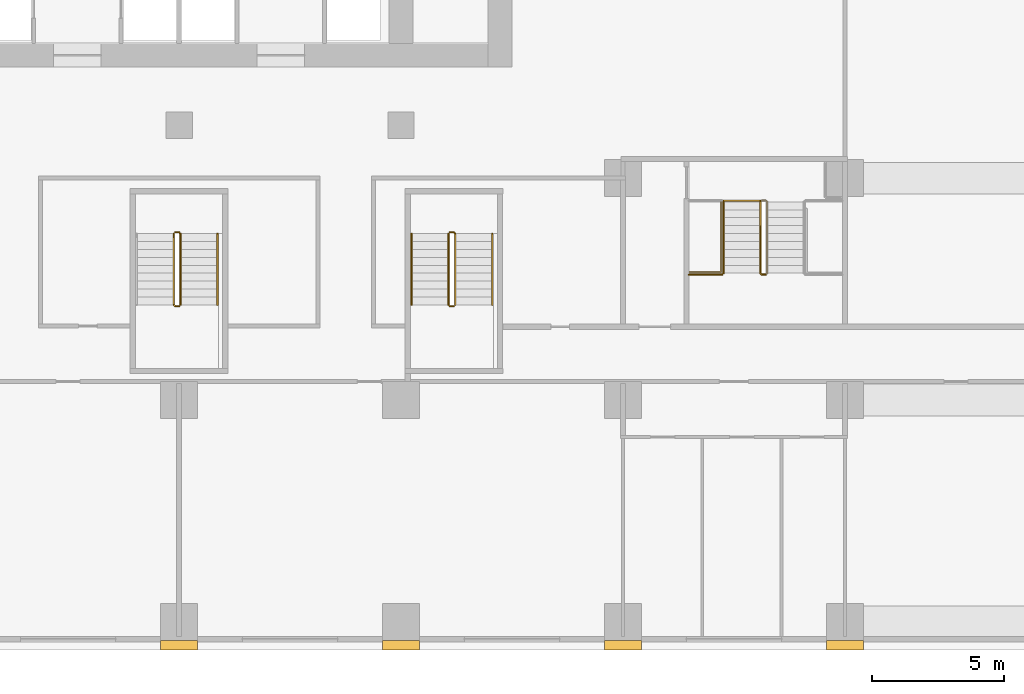
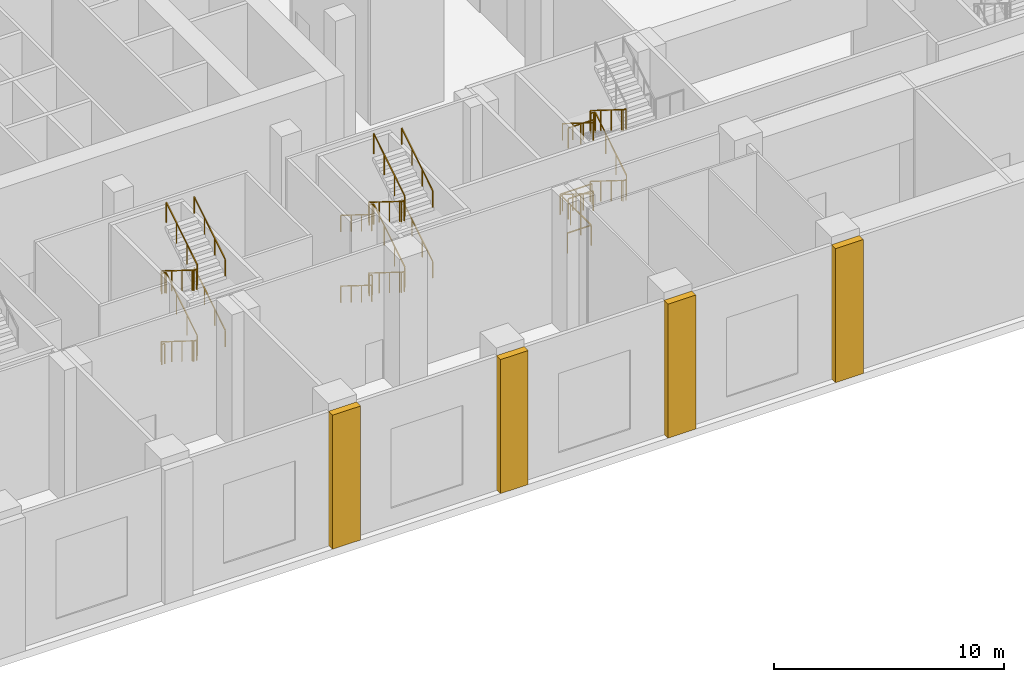
# One storey, part 20 of 29: 24 railings, 4 coverings.
"""IFC4 building model written with IfcOpenShell, lengths in metres."""

from ifc_helpers import new_model, si_unit, direction, frame, origin, origin_2d, place, context, subcontext, project, spatial, polyline, rectangle, outline, extrude, material, type_object, element, save


model = new_model("IFC4")

# Units and contexts
model_context = context("Model", 3, precision=1e-05, world=origin(), true_north=direction((0.0, 1.0)))
body_context = subcontext(model_context, "Body", "Model", "MODEL_VIEW")
ifc_project = project(units=[si_unit("LENGTHUNIT", "METRE"), si_unit("AREAUNIT", "SQUARE_METRE"), si_unit("VOLUMEUNIT", "CUBIC_METRE"), si_unit("PLANEANGLEUNIT", "RADIAN"), si_unit("MASSUNIT", "GRAM", prefix="KILO")], contexts=[model_context])

# Site, building, storey
site_placement = place(None, origin())
site = spatial("IfcSite", under=ifc_project, at=site_placement, CompositionType="ELEMENT")
building_placement = place(site_placement, origin())
building = spatial("IfcBuilding", under=site, at=building_placement, Name="Vermilion Ogive Tower", CompositionType="ELEMENT")
storey_placement = place(building_placement, frame((0.0, 0.0, 12.5)))
storey = spatial("IfcBuildingStorey", under=building, at=storey_placement, Name="L02", CompositionType="ELEMENT", Elevation=12.5)

# Railings
ifc_material_1 = material(Name="Steel S355 painted", Category="steel")
railing_type_1 = type_object("IfcRailingType", Name="Stair guard 1100", PredefinedType="GUARDRAIL", material=ifc_material_1)
railing_1_placement = place(storey_placement, frame((-0.199951171875, -14.699951171875, 0.1875)))
element("IfcRailing", 1, at=railing_1_placement, inside=storey, type_object=railing_type_1, Name="L02 ST4 stair guard 1", PredefinedType="GUARDRAIL", context=body_context, shape_type="SweptSolid", body=[
    extrude(rectangle(XDim=0.048095703125, YDim=0.048095703125, at=origin_2d()), frame((0.0, 0.0, 1.076171875), z_axis=(0.0, -0.847993996163, 0.530005832488), x_axis=(1.0, 0.0, 0.0)), (0.0, 0.0, 1.0), 3.183837890625),
    extrude(rectangle(XDim=0.048095703125, YDim=0.048095703125, at=origin_2d()), frame((0.0, -2.699951171875, 2.763671875), z_axis=(0.707106781187, -0.707106781187, 0.0), x_axis=(0.707106781187, 0.707106781187, 0.0)), (0.0, 0.0, 1.0), 0.07080078125),
    extrude(rectangle(XDim=0.048095703125, YDim=0.048095703125, at=origin_2d()), frame((0.050048828125, -2.75, 2.763671875), z_axis=(1.0, 0.0, 0.0), x_axis=(0.0, 1.0, 0.0)), (0.0, 0.0, 1.0), 0.14990234375),
    extrude(rectangle(XDim=0.0419921875, YDim=0.0419921875, at=origin_2d()), origin(), (0.0, 0.0, 1.0), 1.052001953125),
    extrude(rectangle(XDim=0.0419921875, YDim=0.0419921875, at=origin_2d()), frame((0.0, -0.89990234375, 0.5625)), (0.0, 0.0, 1.0), 1.052001953125),
    extrude(rectangle(XDim=0.0419921875, YDim=0.0419921875, at=origin_2d()), frame((0.0, -1.800048828125, 1.125)), (0.0, 0.0, 1.0), 1.052001953125),
    extrude(rectangle(XDim=0.0419921875, YDim=0.0419921875, at=origin_2d()), frame((0.0, -2.699951171875, 1.6875)), (0.0, 0.0, 1.0), 1.052001953125),
    extrude(rectangle(XDim=0.0419921875, YDim=0.0419921875, at=origin_2d()), frame((0.050048828125, -2.75, 1.6875)), (0.0, 0.0, 1.0), 1.052001953125),
    extrude(rectangle(XDim=0.0419921875, YDim=0.0419921875, at=origin_2d()), frame((0.199951171875, -2.75, 1.6875)), (0.0, 0.0, 1.0), 1.052001953125),
])
railing_2_placement = place(storey_placement, frame((0.050048828125, -17.39990234375, 2.0625)))
element("IfcRailing", 2, at=railing_2_placement, inside=storey, type_object=railing_type_1, Name="L02 ST4 stair guard 3", PredefinedType="GUARDRAIL", context=body_context, shape_type="SweptSolid", body=[
    extrude(rectangle(XDim=0.048095703125, YDim=0.048095703125, at=origin_2d()), frame((0.0, 0.0, 1.076171875), z_axis=(0.0, 0.847993996163, 0.530005832488), x_axis=(-1.0, 0.0, 0.0)), (0.0, 0.0, 1.0), 3.183837890625),
    extrude(rectangle(XDim=0.048095703125, YDim=0.048095703125, at=origin_2d()), frame((0.0, 2.699951171875, 2.763671875), z_axis=(-0.707106781187, 0.707106781187, 0.0), x_axis=(-0.707106781187, -0.707106781187, 0.0)), (0.0, 0.0, 1.0), 0.07080078125),
    extrude(rectangle(XDim=0.048095703125, YDim=0.048095703125, at=origin_2d()), frame((-0.050048828125, 2.75, 2.763671875), z_axis=(-1.0, 0.0, 0.0), x_axis=(0.0, -1.0, 0.0)), (0.0, 0.0, 1.0), 0.14990234375),
    extrude(rectangle(XDim=0.0419921875, YDim=0.0419921875, at=origin_2d()), origin(), (0.0, 0.0, 1.0), 1.052001953125),
    extrude(rectangle(XDim=0.0419921875, YDim=0.0419921875, at=origin_2d()), frame((0.0, 0.89990234375, 0.5625)), (0.0, 0.0, 1.0), 1.052001953125),
    extrude(rectangle(XDim=0.0419921875, YDim=0.0419921875, at=origin_2d()), frame((0.0, 1.800048828125, 1.125)), (0.0, 0.0, 1.0), 1.052001953125),
    extrude(rectangle(XDim=0.0419921875, YDim=0.0419921875, at=origin_2d()), frame((0.0, 2.699951171875, 1.6875)), (0.0, 0.0, 1.0), 1.052001953125),
    extrude(rectangle(XDim=0.0419921875, YDim=0.0419921875, at=origin_2d()), frame((-0.050048828125, 2.75, 1.6875)), (0.0, 0.0, 1.0), 1.052001953125),
    extrude(rectangle(XDim=0.0419921875, YDim=0.0419921875, at=origin_2d()), frame((-0.199951171875, 2.75, 1.6875)), (0.0, 0.0, 1.0), 1.052001953125),
])
railing_3_placement = place(storey_placement, frame((-0.199951171875, -14.699951171875, 3.9375)))
element("IfcRailing", 3, at=railing_3_placement, inside=storey, type_object=railing_type_1, Name="L02 ST4 stair guard 5", PredefinedType="GUARDRAIL", context=body_context, shape_type="SweptSolid", body=[
    extrude(rectangle(XDim=0.048095703125, YDim=0.048095703125, at=origin_2d()), frame((0.0, 0.0, 1.076171875), z_axis=(0.0, -0.847993996163, 0.530005832488), x_axis=(1.0, 0.0, 0.0)), (0.0, 0.0, 1.0), 3.183837890625),
    extrude(rectangle(XDim=0.048095703125, YDim=0.048095703125, at=origin_2d()), frame((0.0, -2.699951171875, 2.763671875), z_axis=(0.707106781187, -0.707106781187, 0.0), x_axis=(0.707106781187, 0.707106781187, 0.0)), (0.0, 0.0, 1.0), 0.07080078125),
    extrude(rectangle(XDim=0.048095703125, YDim=0.048095703125, at=origin_2d()), frame((0.050048828125, -2.75, 2.763671875), z_axis=(1.0, 0.0, 0.0), x_axis=(0.0, 1.0, 0.0)), (0.0, 0.0, 1.0), 0.14990234375),
    extrude(rectangle(XDim=0.0419921875, YDim=0.0419921875, at=origin_2d()), origin(), (0.0, 0.0, 1.0), 1.052001953125),
    extrude(rectangle(XDim=0.0419921875, YDim=0.0419921875, at=origin_2d()), frame((0.0, -0.89990234375, 0.5625)), (0.0, 0.0, 1.0), 1.052001953125),
    extrude(rectangle(XDim=0.0419921875, YDim=0.0419921875, at=origin_2d()), frame((0.0, -1.800048828125, 1.125)), (0.0, 0.0, 1.0), 1.052001953125),
    extrude(rectangle(XDim=0.0419921875, YDim=0.0419921875, at=origin_2d()), frame((0.0, -2.699951171875, 1.6875)), (0.0, 0.0, 1.0), 1.052001953125),
    extrude(rectangle(XDim=0.0419921875, YDim=0.0419921875, at=origin_2d()), frame((0.050048828125, -2.75, 1.6875)), (0.0, 0.0, 1.0), 1.052001953125),
    extrude(rectangle(XDim=0.0419921875, YDim=0.0419921875, at=origin_2d()), frame((0.199951171875, -2.75, 1.6875)), (0.0, 0.0, 1.0), 1.052001953125),
])
railing_4_placement = place(storey_placement, frame((0.050048828125, -17.39990234375, 5.8125)))
element("IfcRailing", 4, at=railing_4_placement, inside=storey, type_object=railing_type_1, Name="L02 ST4 stair guard 7", PredefinedType="GUARDRAIL", context=body_context, shape_type="SweptSolid", body=[
    extrude(rectangle(XDim=0.048095703125, YDim=0.048095703125, at=origin_2d()), frame((0.0, 0.0, 1.076171875), z_axis=(0.0, 0.847993996163, 0.530005832488), x_axis=(-1.0, 0.0, 0.0)), (0.0, 0.0, 1.0), 3.183837890625),
    extrude(rectangle(XDim=0.0419921875, YDim=0.0419921875, at=origin_2d()), origin(), (0.0, 0.0, 1.0), 1.052001953125),
    extrude(rectangle(XDim=0.0419921875, YDim=0.0419921875, at=origin_2d()), frame((0.0, 0.89990234375, 0.5625)), (0.0, 0.0, 1.0), 1.052001953125),
    extrude(rectangle(XDim=0.0419921875, YDim=0.0419921875, at=origin_2d()), frame((0.0, 1.800048828125, 1.125)), (0.0, 0.0, 1.0), 1.052001953125),
    extrude(rectangle(XDim=0.0419921875, YDim=0.0419921875, at=origin_2d()), frame((0.0, 2.699951171875, 1.6875)), (0.0, 0.0, 1.0), 1.052001953125),
])
railing_5_placement = place(storey_placement, frame((-0.14990234375, -14.64990234375, 0.0)))
element("IfcRailing", 5, at=railing_5_placement, inside=storey, type_object=railing_type_1, Name="L02 ST4 stair guard 8", PredefinedType="GUARDRAIL", context=body_context, shape_type="SweptSolid", body=[
    extrude(rectangle(XDim=0.048095703125, YDim=0.048095703125, at=origin_2d()), frame((0.0, 0.0, 1.076171875), z_axis=(1.0, 0.0, 0.0), x_axis=(0.0, 1.0, 0.0)), (0.0, 0.0, 1.0), 0.14990234375),
    extrude(rectangle(XDim=0.0419921875, YDim=0.0419921875, at=origin_2d()), origin(), (0.0, 0.0, 1.0), 1.052001953125),
    extrude(rectangle(XDim=0.0419921875, YDim=0.0419921875, at=origin_2d()), frame((0.14990234375, 0.0, 0.0)), (0.0, 0.0, 1.0), 1.052001953125),
])
railing_6_placement = place(storey_placement, frame((10.199951171875, -14.699951171875, 0.1875)))
element("IfcRailing", 6, at=railing_6_placement, inside=storey, type_object=railing_type_1, Name="L02 ST5 stair guard 1", PredefinedType="GUARDRAIL", context=body_context, shape_type="SweptSolid", body=[
    extrude(rectangle(XDim=0.048095703125, YDim=0.048095703125, at=origin_2d()), frame((0.0, 0.0, 1.076171875), z_axis=(0.0, -0.847993996163, 0.530005832488), x_axis=(1.0, 0.0, 0.0)), (0.0, 0.0, 1.0), 3.183837890625),
    extrude(rectangle(XDim=0.048095703125, YDim=0.048095703125, at=origin_2d()), frame((0.0, -2.699951171875, 2.763671875), z_axis=(0.707106781187, -0.707106781187, 0.0), x_axis=(0.707106781187, 0.707106781187, 0.0)), (0.0, 0.0, 1.0), 0.07080078125),
    extrude(rectangle(XDim=0.048095703125, YDim=0.048095703125, at=origin_2d()), frame((0.050048828125, -2.75, 2.763671875), z_axis=(1.0, 0.0, 0.0), x_axis=(0.0, 1.0, 0.0)), (0.0, 0.0, 1.0), 0.14990234375),
    extrude(rectangle(XDim=0.0419921875, YDim=0.0419921875, at=origin_2d()), origin(), (0.0, 0.0, 1.0), 1.052001953125),
    extrude(rectangle(XDim=0.0419921875, YDim=0.0419921875, at=origin_2d()), frame((0.0, -0.89990234375, 0.5625)), (0.0, 0.0, 1.0), 1.052001953125),
    extrude(rectangle(XDim=0.0419921875, YDim=0.0419921875, at=origin_2d()), frame((0.0, -1.800048828125, 1.125)), (0.0, 0.0, 1.0), 1.052001953125),
    extrude(rectangle(XDim=0.0419921875, YDim=0.0419921875, at=origin_2d()), frame((0.0, -2.699951171875, 1.6875)), (0.0, 0.0, 1.0), 1.052001953125),
    extrude(rectangle(XDim=0.0419921875, YDim=0.0419921875, at=origin_2d()), frame((0.050048828125, -2.75, 1.6875)), (0.0, 0.0, 1.0), 1.052001953125),
    extrude(rectangle(XDim=0.0419921875, YDim=0.0419921875, at=origin_2d()), frame((0.199951171875, -2.75, 1.6875)), (0.0, 0.0, 1.0), 1.052001953125),
])
railing_7_placement = place(storey_placement, frame((10.449951171875, -17.39990234375, 2.0625)))
element("IfcRailing", 7, at=railing_7_placement, inside=storey, type_object=railing_type_1, Name="L02 ST5 stair guard 3", PredefinedType="GUARDRAIL", context=body_context, shape_type="SweptSolid", body=[
    extrude(rectangle(XDim=0.048095703125, YDim=0.048095703125, at=origin_2d()), frame((0.0, 0.0, 1.076171875), z_axis=(0.0, 0.847993996163, 0.530005832488), x_axis=(-1.0, 0.0, 0.0)), (0.0, 0.0, 1.0), 3.183837890625),
    extrude(rectangle(XDim=0.048095703125, YDim=0.048095703125, at=origin_2d()), frame((0.0, 2.699951171875, 2.763671875), z_axis=(-0.707106781187, 0.707106781187, 0.0), x_axis=(-0.707106781187, -0.707106781187, 0.0)), (0.0, 0.0, 1.0), 0.07080078125),
    extrude(rectangle(XDim=0.048095703125, YDim=0.048095703125, at=origin_2d()), frame((-0.050048828125, 2.75, 2.763671875), z_axis=(-1.0, 0.0, 0.0), x_axis=(0.0, -1.0, 0.0)), (0.0, 0.0, 1.0), 0.14990234375),
    extrude(rectangle(XDim=0.0419921875, YDim=0.0419921875, at=origin_2d()), origin(), (0.0, 0.0, 1.0), 1.052001953125),
    extrude(rectangle(XDim=0.0419921875, YDim=0.0419921875, at=origin_2d()), frame((0.0, 0.89990234375, 0.5625)), (0.0, 0.0, 1.0), 1.052001953125),
    extrude(rectangle(XDim=0.0419921875, YDim=0.0419921875, at=origin_2d()), frame((0.0, 1.800048828125, 1.125)), (0.0, 0.0, 1.0), 1.052001953125),
    extrude(rectangle(XDim=0.0419921875, YDim=0.0419921875, at=origin_2d()), frame((0.0, 2.699951171875, 1.6875)), (0.0, 0.0, 1.0), 1.052001953125),
    extrude(rectangle(XDim=0.0419921875, YDim=0.0419921875, at=origin_2d()), frame((-0.050048828125, 2.75, 1.6875)), (0.0, 0.0, 1.0), 1.052001953125),
    extrude(rectangle(XDim=0.0419921875, YDim=0.0419921875, at=origin_2d()), frame((-0.199951171875, 2.75, 1.6875)), (0.0, 0.0, 1.0), 1.052001953125),
])
railing_8_placement = place(storey_placement, frame((10.199951171875, -14.699951171875, 3.9375)))
element("IfcRailing", 8, at=railing_8_placement, inside=storey, type_object=railing_type_1, Name="L02 ST5 stair guard 5", PredefinedType="GUARDRAIL", context=body_context, shape_type="SweptSolid", body=[
    extrude(rectangle(XDim=0.048095703125, YDim=0.048095703125, at=origin_2d()), frame((0.0, 0.0, 1.076171875), z_axis=(0.0, -0.847993996163, 0.530005832488), x_axis=(1.0, 0.0, 0.0)), (0.0, 0.0, 1.0), 3.183837890625),
    extrude(rectangle(XDim=0.048095703125, YDim=0.048095703125, at=origin_2d()), frame((0.0, -2.699951171875, 2.763671875), z_axis=(0.707106781187, -0.707106781187, 0.0), x_axis=(0.707106781187, 0.707106781187, 0.0)), (0.0, 0.0, 1.0), 0.07080078125),
    extrude(rectangle(XDim=0.048095703125, YDim=0.048095703125, at=origin_2d()), frame((0.050048828125, -2.75, 2.763671875), z_axis=(1.0, 0.0, 0.0), x_axis=(0.0, 1.0, 0.0)), (0.0, 0.0, 1.0), 0.14990234375),
    extrude(rectangle(XDim=0.0419921875, YDim=0.0419921875, at=origin_2d()), origin(), (0.0, 0.0, 1.0), 1.052001953125),
    extrude(rectangle(XDim=0.0419921875, YDim=0.0419921875, at=origin_2d()), frame((0.0, -0.89990234375, 0.5625)), (0.0, 0.0, 1.0), 1.052001953125),
    extrude(rectangle(XDim=0.0419921875, YDim=0.0419921875, at=origin_2d()), frame((0.0, -1.800048828125, 1.125)), (0.0, 0.0, 1.0), 1.052001953125),
    extrude(rectangle(XDim=0.0419921875, YDim=0.0419921875, at=origin_2d()), frame((0.0, -2.699951171875, 1.6875)), (0.0, 0.0, 1.0), 1.052001953125),
    extrude(rectangle(XDim=0.0419921875, YDim=0.0419921875, at=origin_2d()), frame((0.050048828125, -2.75, 1.6875)), (0.0, 0.0, 1.0), 1.052001953125),
    extrude(rectangle(XDim=0.0419921875, YDim=0.0419921875, at=origin_2d()), frame((0.199951171875, -2.75, 1.6875)), (0.0, 0.0, 1.0), 1.052001953125),
])
railing_9_placement = place(storey_placement, frame((10.449951171875, -17.39990234375, 5.8125)))
element("IfcRailing", 9, at=railing_9_placement, inside=storey, type_object=railing_type_1, Name="L02 ST5 stair guard 7", PredefinedType="GUARDRAIL", context=body_context, shape_type="SweptSolid", body=[
    extrude(rectangle(XDim=0.048095703125, YDim=0.048095703125, at=origin_2d()), frame((0.0, 0.0, 1.076171875), z_axis=(0.0, 0.847993996163, 0.530005832488), x_axis=(-1.0, 0.0, 0.0)), (0.0, 0.0, 1.0), 3.183837890625),
    extrude(rectangle(XDim=0.0419921875, YDim=0.0419921875, at=origin_2d()), origin(), (0.0, 0.0, 1.0), 1.052001953125),
    extrude(rectangle(XDim=0.0419921875, YDim=0.0419921875, at=origin_2d()), frame((0.0, 0.89990234375, 0.5625)), (0.0, 0.0, 1.0), 1.052001953125),
    extrude(rectangle(XDim=0.0419921875, YDim=0.0419921875, at=origin_2d()), frame((0.0, 1.800048828125, 1.125)), (0.0, 0.0, 1.0), 1.052001953125),
    extrude(rectangle(XDim=0.0419921875, YDim=0.0419921875, at=origin_2d()), frame((0.0, 2.699951171875, 1.6875)), (0.0, 0.0, 1.0), 1.052001953125),
])
railing_10_placement = place(storey_placement, frame((10.25, -14.64990234375, 0.0)))
element("IfcRailing", 10, at=railing_10_placement, inside=storey, type_object=railing_type_1, Name="L02 ST5 stair guard 8", PredefinedType="GUARDRAIL", context=body_context, shape_type="SweptSolid", body=[
    extrude(rectangle(XDim=0.048095703125, YDim=0.048095703125, at=origin_2d()), frame((0.0, 0.0, 1.076171875), z_axis=(1.0, 0.0, 0.0), x_axis=(0.0, 1.0, 0.0)), (0.0, 0.0, 1.0), 0.14990234375),
    extrude(rectangle(XDim=0.0419921875, YDim=0.0419921875, at=origin_2d()), origin(), (0.0, 0.0, 1.0), 1.052001953125),
    extrude(rectangle(XDim=0.0419921875, YDim=0.0419921875, at=origin_2d()), frame((0.14990234375, 0.0, 0.0)), (0.0, 0.0, 1.0), 1.052001953125),
])
railing_11_placement = place(storey_placement, frame((22.0, -13.5, 0.1875)))
element("IfcRailing", 11, at=railing_11_placement, inside=storey, type_object=railing_type_1, Name="L02 PS3 stair guard 1", PredefinedType="GUARDRAIL", context=body_context, shape_type="SweptSolid", body=[
    extrude(rectangle(XDim=0.048095703125, YDim=0.048095703125, at=origin_2d()), frame((0.0, 0.0, 1.076171875), z_axis=(0.0, -0.847993996163, 0.530005832488), x_axis=(1.0, 0.0, 0.0)), (0.0, 0.0, 1.0), 3.183837890625),
    extrude(rectangle(XDim=0.048095703125, YDim=0.048095703125, at=origin_2d()), frame((0.0, -2.699951171875, 2.763671875), z_axis=(0.707106781187, -0.707106781187, 0.0), x_axis=(0.707106781187, 0.707106781187, 0.0)), (0.0, 0.0, 1.0), 0.07080078125),
    extrude(rectangle(XDim=0.048095703125, YDim=0.048095703125, at=origin_2d()), frame((0.050048828125, -2.75, 2.763671875), z_axis=(1.0, 0.0, 0.0), x_axis=(0.0, 1.0, 0.0)), (0.0, 0.0, 1.0), 0.14990234375),
    extrude(rectangle(XDim=0.0419921875, YDim=0.0419921875, at=origin_2d()), origin(), (0.0, 0.0, 1.0), 1.052001953125),
    extrude(rectangle(XDim=0.0419921875, YDim=0.0419921875, at=origin_2d()), frame((0.0, -0.89990234375, 0.5625)), (0.0, 0.0, 1.0), 1.052001953125),
    extrude(rectangle(XDim=0.0419921875, YDim=0.0419921875, at=origin_2d()), frame((0.0, -1.800048828125, 1.125)), (0.0, 0.0, 1.0), 1.052001953125),
    extrude(rectangle(XDim=0.0419921875, YDim=0.0419921875, at=origin_2d()), frame((0.0, -2.699951171875, 1.6875)), (0.0, 0.0, 1.0), 1.052001953125),
    extrude(rectangle(XDim=0.0419921875, YDim=0.0419921875, at=origin_2d()), frame((0.050048828125, -2.75, 1.6875)), (0.0, 0.0, 1.0), 1.052001953125),
    extrude(rectangle(XDim=0.0419921875, YDim=0.0419921875, at=origin_2d()), frame((0.199951171875, -2.75, 1.6875)), (0.0, 0.0, 1.0), 1.052001953125),
])
railing_12_placement = place(storey_placement, frame((22.25, -16.199951171875, 2.0625)))
element("IfcRailing", 12, at=railing_12_placement, inside=storey, type_object=railing_type_1, Name="L02 PS3 stair guard 3", PredefinedType="GUARDRAIL", context=body_context, shape_type="SweptSolid", body=[
    extrude(rectangle(XDim=0.048095703125, YDim=0.048095703125, at=origin_2d()), frame((0.0, 0.0, 1.076171875), z_axis=(0.0, 0.847993996163, 0.530005832488), x_axis=(-1.0, 0.0, 0.0)), (0.0, 0.0, 1.0), 3.183837890625),
    extrude(rectangle(XDim=0.048095703125, YDim=0.048095703125, at=origin_2d()), frame((0.0, 2.699951171875, 2.763671875), z_axis=(-0.707106781187, 0.707106781187, 0.0), x_axis=(-0.707106781187, -0.707106781187, 0.0)), (0.0, 0.0, 1.0), 0.07080078125),
    extrude(rectangle(XDim=0.048095703125, YDim=0.048095703125, at=origin_2d()), frame((-0.050048828125, 2.75, 2.763671875), z_axis=(-1.0, 0.0, 0.0), x_axis=(0.0, -1.0, 0.0)), (0.0, 0.0, 1.0), 0.14990234375),
    extrude(rectangle(XDim=0.0419921875, YDim=0.0419921875, at=origin_2d()), origin(), (0.0, 0.0, 1.0), 1.052001953125),
    extrude(rectangle(XDim=0.0419921875, YDim=0.0419921875, at=origin_2d()), frame((0.0, 0.89990234375, 0.5625)), (0.0, 0.0, 1.0), 1.052001953125),
    extrude(rectangle(XDim=0.0419921875, YDim=0.0419921875, at=origin_2d()), frame((0.0, 1.800048828125, 1.125)), (0.0, 0.0, 1.0), 1.052001953125),
    extrude(rectangle(XDim=0.0419921875, YDim=0.0419921875, at=origin_2d()), frame((0.0, 2.699951171875, 1.6875)), (0.0, 0.0, 1.0), 1.052001953125),
    extrude(rectangle(XDim=0.0419921875, YDim=0.0419921875, at=origin_2d()), frame((-0.050048828125, 2.75, 1.6875)), (0.0, 0.0, 1.0), 1.052001953125),
    extrude(rectangle(XDim=0.0419921875, YDim=0.0419921875, at=origin_2d()), frame((-0.199951171875, 2.75, 1.6875)), (0.0, 0.0, 1.0), 1.052001953125),
])
railing_13_placement = place(storey_placement, frame((22.0, -13.5, 3.9375)))
element("IfcRailing", 13, at=railing_13_placement, inside=storey, type_object=railing_type_1, Name="L02 PS3 stair guard 5", PredefinedType="GUARDRAIL", context=body_context, shape_type="SweptSolid", body=[
    extrude(rectangle(XDim=0.048095703125, YDim=0.048095703125, at=origin_2d()), frame((0.0, 0.0, 1.076171875), z_axis=(0.0, -0.847993996163, 0.530005832488), x_axis=(1.0, 0.0, 0.0)), (0.0, 0.0, 1.0), 3.183837890625),
    extrude(rectangle(XDim=0.048095703125, YDim=0.048095703125, at=origin_2d()), frame((0.0, -2.699951171875, 2.763671875), z_axis=(0.707106781187, -0.707106781187, 0.0), x_axis=(0.707106781187, 0.707106781187, 0.0)), (0.0, 0.0, 1.0), 0.07080078125),
    extrude(rectangle(XDim=0.048095703125, YDim=0.048095703125, at=origin_2d()), frame((0.050048828125, -2.75, 2.763671875), z_axis=(1.0, 0.0, 0.0), x_axis=(0.0, 1.0, 0.0)), (0.0, 0.0, 1.0), 0.14990234375),
    extrude(rectangle(XDim=0.0419921875, YDim=0.0419921875, at=origin_2d()), origin(), (0.0, 0.0, 1.0), 1.052001953125),
    extrude(rectangle(XDim=0.0419921875, YDim=0.0419921875, at=origin_2d()), frame((0.0, -0.89990234375, 0.5625)), (0.0, 0.0, 1.0), 1.052001953125),
    extrude(rectangle(XDim=0.0419921875, YDim=0.0419921875, at=origin_2d()), frame((0.0, -1.800048828125, 1.125)), (0.0, 0.0, 1.0), 1.052001953125),
    extrude(rectangle(XDim=0.0419921875, YDim=0.0419921875, at=origin_2d()), frame((0.0, -2.699951171875, 1.6875)), (0.0, 0.0, 1.0), 1.052001953125),
    extrude(rectangle(XDim=0.0419921875, YDim=0.0419921875, at=origin_2d()), frame((0.050048828125, -2.75, 1.6875)), (0.0, 0.0, 1.0), 1.052001953125),
    extrude(rectangle(XDim=0.0419921875, YDim=0.0419921875, at=origin_2d()), frame((0.199951171875, -2.75, 1.6875)), (0.0, 0.0, 1.0), 1.052001953125),
])
for number, where, name in (
    (14, (19.300048828125, -16.25, 1.875), "L02 landing guard"),
    (15, (19.300048828125, -16.25, 5.625), "L02 landing guard"),
):
    element("IfcRailing", number, at=place(storey_placement, frame(where)), inside=storey, type_object=railing_type_1, Name=name, PredefinedType="GUARDRAIL", context=body_context, shape_type="SweptSolid", body=[
        extrude(rectangle(XDim=0.048095703125, YDim=0.048095703125, at=origin_2d()), frame((0.0, 0.0, 1.076171875), z_axis=(1.0, 0.0, 0.0), x_axis=(0.0, 1.0, 0.0)), (0.0, 0.0, 1.0), 1.25),
        extrude(rectangle(XDim=0.0419921875, YDim=0.0419921875, at=origin_2d()), origin(), (0.0, 0.0, 1.0), 1.052001953125),
        extrude(rectangle(XDim=0.0419921875, YDim=0.0419921875, at=origin_2d()), frame((0.625, 0.0, 0.0)), (0.0, 0.0, 1.0), 1.052001953125),
        extrude(rectangle(XDim=0.0419921875, YDim=0.0419921875, at=origin_2d()), frame((1.25, 0.0, 0.0)), (0.0, 0.0, 1.0), 1.052001953125),
    ])
railing_14_placement = place(storey_placement, frame((19.318115234375, -16.156982421875, 0.0)))
element("IfcRailing", 16, at=railing_14_placement, inside=storey, type_object=railing_type_1, Name="L02 stair opening guard", PredefinedType="GUARDRAIL", context=body_context, shape_type="SweptSolid", body=[
    extrude(rectangle(XDim=0.048095703125, YDim=0.048095703125, at=origin_2d()), frame((0.0, 0.0, 1.076171875), z_axis=(1.0, 0.0, 0.0), x_axis=(0.0, 1.0, 0.0)), (0.0, 0.0, 1.0), 1.190185546875),
    extrude(rectangle(XDim=0.048095703125, YDim=0.048095703125, at=origin_2d()), frame((1.190185546875, 0.0, 1.076171875), z_axis=(0.0, 1.0, 0.0), x_axis=(-1.0, 0.0, 0.0)), (0.0, 0.0, 1.0), 2.7001953125),
    extrude(rectangle(XDim=0.048095703125, YDim=0.048095703125, at=origin_2d()), frame((1.190185546875, 2.7001953125, 1.076171875), z_axis=(1.0, 0.0, 0.0), x_axis=(0.0, 1.0, 0.0)), (0.0, 0.0, 1.0), 1.60009765625),
    extrude(rectangle(XDim=0.0419921875, YDim=0.0419921875, at=origin_2d()), origin(), (0.0, 0.0, 1.0), 1.052001953125),
    extrude(rectangle(XDim=0.0419921875, YDim=0.0419921875, at=origin_2d()), frame((1.190185546875, 0.0, 0.0)), (0.0, 0.0, 1.0), 1.052001953125),
    extrude(rectangle(XDim=0.0419921875, YDim=0.0419921875, at=origin_2d()), frame((1.190185546875, 0.900146484375, 0.0)), (0.0, 0.0, 1.0), 1.052001953125),
    extrude(rectangle(XDim=0.0419921875, YDim=0.0419921875, at=origin_2d()), frame((1.190185546875, 1.800048828125, 0.0)), (0.0, 0.0, 1.0), 1.052001953125),
    extrude(rectangle(XDim=0.0419921875, YDim=0.0419921875, at=origin_2d()), frame((1.190185546875, 2.7001953125, 0.0)), (0.0, 0.0, 1.0), 1.052001953125),
    extrude(rectangle(XDim=0.0419921875, YDim=0.0419921875, at=origin_2d()), frame((1.990234375, 2.7001953125, 0.0)), (0.0, 0.0, 1.0), 1.052001953125),
    extrude(rectangle(XDim=0.0419921875, YDim=0.0419921875, at=origin_2d()), frame((2.790283203125, 2.7001953125, 0.0)), (0.0, 0.0, 1.0), 1.052001953125),
])
ifc_material_2 = material(Name="Stainless steel", Category="steel")
railing_type_2 = type_object("IfcRailingType", Name="Stair handrail 900", PredefinedType="HANDRAIL", material=ifc_material_2)
for number, where, name in (
    (17, (1.449951171875, -17.39990234375, 2.0625), "L02 ST4 stair handrail 2"),
    (18, (1.449951171875, -17.39990234375, 5.8125), "L02 ST4 stair handrail 4"),
):
    element("IfcRailing", number, at=place(storey_placement, frame(where)), inside=storey, type_object=railing_type_2, Name=name, PredefinedType="HANDRAIL", context=body_context, shape_type="SweptSolid", body=[
        extrude(rectangle(XDim=0.048095703125, YDim=0.048095703125, at=origin_2d()), frame((0.0, 0.0, 0.8759765625), z_axis=(0.0, 0.847993996163, 0.530005832488), x_axis=(-1.0, 0.0, 0.0)), (0.0, 0.0, 1.0), 3.183837890625),
        extrude(rectangle(XDim=0.0419921875, YDim=0.0419921875, at=origin_2d()), origin(), (0.0, 0.0, 1.0), 0.851806640625),
        extrude(rectangle(XDim=0.0419921875, YDim=0.0419921875, at=origin_2d()), frame((0.0, 0.89990234375, 0.5625)), (0.0, 0.0, 1.0), 0.851806640625),
        extrude(rectangle(XDim=0.0419921875, YDim=0.0419921875, at=origin_2d()), frame((0.0, 1.800048828125, 1.125)), (0.0, 0.0, 1.0), 0.851806640625),
        extrude(rectangle(XDim=0.0419921875, YDim=0.0419921875, at=origin_2d()), frame((0.0, 2.699951171875, 1.6875)), (0.0, 0.0, 1.0), 0.851806640625),
    ])
railing_15_placement = place(storey_placement, frame((8.800048828125, -14.699951171875, 0.1875)))
element("IfcRailing", 19, at=railing_15_placement, inside=storey, type_object=railing_type_2, Name="L02 ST5 stair handrail 1", PredefinedType="HANDRAIL", context=body_context, shape_type="SweptSolid", body=[
    extrude(rectangle(XDim=0.048095703125, YDim=0.048095703125, at=origin_2d()), frame((0.0, 0.0, 0.8759765625), z_axis=(0.0, -0.847993996163, 0.530005832488), x_axis=(1.0, 0.0, 0.0)), (0.0, 0.0, 1.0), 3.183837890625),
    extrude(rectangle(XDim=0.0419921875, YDim=0.0419921875, at=origin_2d()), origin(), (0.0, 0.0, 1.0), 0.851806640625),
    extrude(rectangle(XDim=0.0419921875, YDim=0.0419921875, at=origin_2d()), frame((0.0, -0.89990234375, 0.5625)), (0.0, 0.0, 1.0), 0.851806640625),
    extrude(rectangle(XDim=0.0419921875, YDim=0.0419921875, at=origin_2d()), frame((0.0, -1.800048828125, 1.125)), (0.0, 0.0, 1.0), 0.851806640625),
    extrude(rectangle(XDim=0.0419921875, YDim=0.0419921875, at=origin_2d()), frame((0.0, -2.699951171875, 1.6875)), (0.0, 0.0, 1.0), 0.851806640625),
])
railing_16_placement = place(storey_placement, frame((11.85009765625, -17.39990234375, 2.0625)))
element("IfcRailing", 20, at=railing_16_placement, inside=storey, type_object=railing_type_2, Name="L02 ST5 stair handrail 2", PredefinedType="HANDRAIL", context=body_context, shape_type="SweptSolid", body=[
    extrude(rectangle(XDim=0.048095703125, YDim=0.048095703125, at=origin_2d()), frame((0.0, 0.0, 0.8759765625), z_axis=(0.0, 0.847993996163, 0.530005832488), x_axis=(-1.0, 0.0, 0.0)), (0.0, 0.0, 1.0), 3.183837890625),
    extrude(rectangle(XDim=0.0419921875, YDim=0.0419921875, at=origin_2d()), origin(), (0.0, 0.0, 1.0), 0.851806640625),
    extrude(rectangle(XDim=0.0419921875, YDim=0.0419921875, at=origin_2d()), frame((0.0, 0.89990234375, 0.5625)), (0.0, 0.0, 1.0), 0.851806640625),
    extrude(rectangle(XDim=0.0419921875, YDim=0.0419921875, at=origin_2d()), frame((0.0, 1.800048828125, 1.125)), (0.0, 0.0, 1.0), 0.851806640625),
    extrude(rectangle(XDim=0.0419921875, YDim=0.0419921875, at=origin_2d()), frame((0.0, 2.699951171875, 1.6875)), (0.0, 0.0, 1.0), 0.851806640625),
])
railing_17_placement = place(storey_placement, frame((8.800048828125, -14.699951171875, 3.9375)))
element("IfcRailing", 21, at=railing_17_placement, inside=storey, type_object=railing_type_2, Name="L02 ST5 stair handrail 3", PredefinedType="HANDRAIL", context=body_context, shape_type="SweptSolid", body=[
    extrude(rectangle(XDim=0.048095703125, YDim=0.048095703125, at=origin_2d()), frame((0.0, 0.0, 0.8759765625), z_axis=(0.0, -0.847993996163, 0.530005832488), x_axis=(1.0, 0.0, 0.0)), (0.0, 0.0, 1.0), 3.183837890625),
    extrude(rectangle(XDim=0.0419921875, YDim=0.0419921875, at=origin_2d()), origin(), (0.0, 0.0, 1.0), 0.851806640625),
    extrude(rectangle(XDim=0.0419921875, YDim=0.0419921875, at=origin_2d()), frame((0.0, -0.89990234375, 0.5625)), (0.0, 0.0, 1.0), 0.851806640625),
    extrude(rectangle(XDim=0.0419921875, YDim=0.0419921875, at=origin_2d()), frame((0.0, -1.800048828125, 1.125)), (0.0, 0.0, 1.0), 0.851806640625),
    extrude(rectangle(XDim=0.0419921875, YDim=0.0419921875, at=origin_2d()), frame((0.0, -2.699951171875, 1.6875)), (0.0, 0.0, 1.0), 0.851806640625),
])
railing_18_placement = place(storey_placement, frame((11.85009765625, -17.39990234375, 5.8125)))
element("IfcRailing", 22, at=railing_18_placement, inside=storey, type_object=railing_type_2, Name="L02 ST5 stair handrail 4", PredefinedType="HANDRAIL", context=body_context, shape_type="SweptSolid", body=[
    extrude(rectangle(XDim=0.048095703125, YDim=0.048095703125, at=origin_2d()), frame((0.0, 0.0, 0.8759765625), z_axis=(0.0, 0.847993996163, 0.530005832488), x_axis=(-1.0, 0.0, 0.0)), (0.0, 0.0, 1.0), 3.183837890625),
    extrude(rectangle(XDim=0.0419921875, YDim=0.0419921875, at=origin_2d()), origin(), (0.0, 0.0, 1.0), 0.851806640625),
    extrude(rectangle(XDim=0.0419921875, YDim=0.0419921875, at=origin_2d()), frame((0.0, 0.89990234375, 0.5625)), (0.0, 0.0, 1.0), 0.851806640625),
    extrude(rectangle(XDim=0.0419921875, YDim=0.0419921875, at=origin_2d()), frame((0.0, 1.800048828125, 1.125)), (0.0, 0.0, 1.0), 0.851806640625),
    extrude(rectangle(XDim=0.0419921875, YDim=0.0419921875, at=origin_2d()), frame((0.0, 2.699951171875, 1.6875)), (0.0, 0.0, 1.0), 0.851806640625),
])
for number, where, name in (
    (23, (20.60009765625, -13.5, 0.1875), "L02 PS3 stair handrail 1"),
    (24, (20.60009765625, -13.5, 3.9375), "L02 PS3 stair handrail 3"),
):
    element("IfcRailing", number, at=place(storey_placement, frame(where)), inside=storey, type_object=railing_type_2, Name=name, PredefinedType="HANDRAIL", context=body_context, shape_type="SweptSolid", body=[
        extrude(rectangle(XDim=0.048095703125, YDim=0.048095703125, at=origin_2d()), frame((0.0, 0.0, 0.8759765625), z_axis=(0.0, -0.847993996163, 0.530005832488), x_axis=(1.0, 0.0, 0.0)), (0.0, 0.0, 1.0), 3.183837890625),
        extrude(rectangle(XDim=0.0419921875, YDim=0.0419921875, at=origin_2d()), origin(), (0.0, 0.0, 1.0), 0.851806640625),
        extrude(rectangle(XDim=0.0419921875, YDim=0.0419921875, at=origin_2d()), frame((0.0, -0.89990234375, 0.5625)), (0.0, 0.0, 1.0), 0.851806640625),
        extrude(rectangle(XDim=0.0419921875, YDim=0.0419921875, at=origin_2d()), frame((0.0, -1.800048828125, 1.125)), (0.0, 0.0, 1.0), 0.851806640625),
        extrude(rectangle(XDim=0.0419921875, YDim=0.0419921875, at=origin_2d()), frame((0.0, -2.699951171875, 1.6875)), (0.0, 0.0, 1.0), 0.851806640625),
    ])

# Coverings
ifc_material_3 = material(Name="Stone cladding", Category="masonry")
covering_type = type_object("IfcCoveringType", Name="Stone pier", PredefinedType="CLADDING", material=ifc_material_3)
covering_1_placement = place(storey_placement, origin())
element("IfcCovering", 25, at=covering_1_placement, inside=storey, type_object=covering_type, Name="Stone pier P+000-294", PredefinedType="CLADDING", context=body_context, shape_type="SweptSolid", body=[
    extrude(outline(polyline([(0.699951171875, -30.449951171875), (-0.699951171875, -30.449951171875), (-0.699951171875, -30.10009765625), (0.699951171875, -30.10009765625), (0.699951171875, -30.449951171875)])), origin(), (0.0, 0.0, 1.0), 7.10009765625),
])
covering_2_placement = place(storey_placement, origin())
element("IfcCovering", 26, at=covering_2_placement, inside=storey, type_object=covering_type, Name="Stone pier P+084-294", PredefinedType="CLADDING", context=body_context, shape_type="SweptSolid", body=[
    extrude(outline(polyline([(9.10009765625, -30.10009765625), (9.10009765625, -30.10009765625), (9.10009765625, -30.449951171875), (7.699951171875, -30.449951171875), (7.699951171875, -30.10009765625), (7.699951171875, -30.10009765625), (9.10009765625, -30.10009765625)])), origin(), (0.0, 0.0, 1.0), 7.10009765625),
])
covering_3_placement = place(storey_placement, origin())
element("IfcCovering", 27, at=covering_3_placement, inside=storey, type_object=covering_type, Name="Stone pier P+168-294", PredefinedType="CLADDING", context=body_context, shape_type="SweptSolid", body=[
    extrude(outline(polyline([(17.5, -30.10009765625), (17.5, -30.10009765625), (17.5, -30.449951171875), (16.10009765625, -30.449951171875), (16.10009765625, -30.10009765625), (16.10009765625, -30.10009765625), (17.5, -30.10009765625)])), origin(), (0.0, 0.0, 1.0), 7.10009765625),
])
covering_4_placement = place(storey_placement, origin())
element("IfcCovering", 28, at=covering_4_placement, inside=storey, type_object=covering_type, Name="Stone pier P+252-294", PredefinedType="CLADDING", context=body_context, shape_type="SweptSolid", body=[
    extrude(outline(polyline([(25.89990234375, -30.10009765625), (25.89990234375, -30.10009765625), (25.89990234375, -30.449951171875), (24.5, -30.449951171875), (24.5, -30.10009765625), (24.5, -30.10009765625), (25.89990234375, -30.10009765625)])), origin(), (0.0, 0.0, 1.0), 7.10009765625),
])

save(model, "model.ifc")
